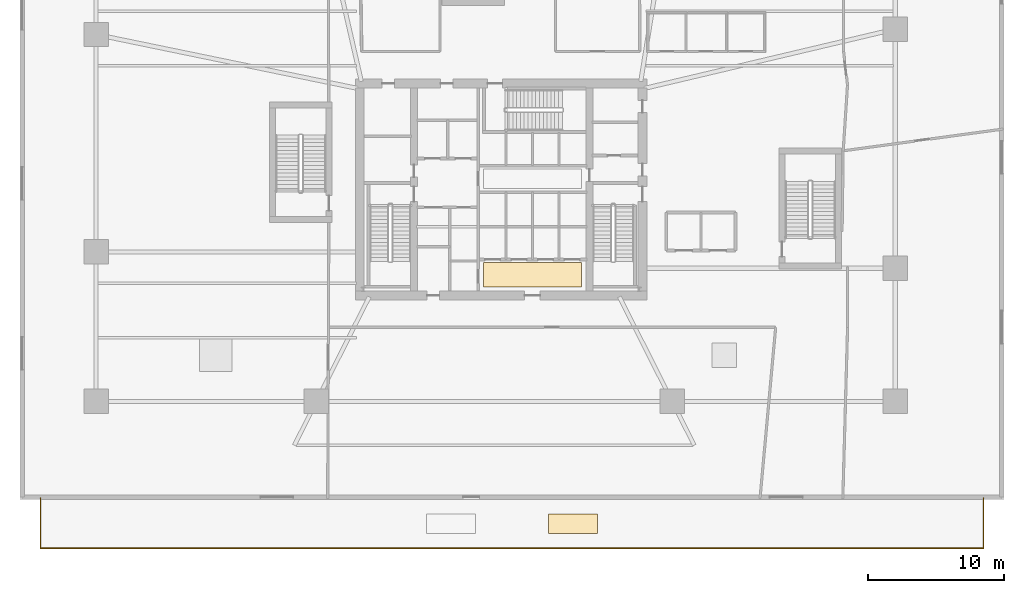
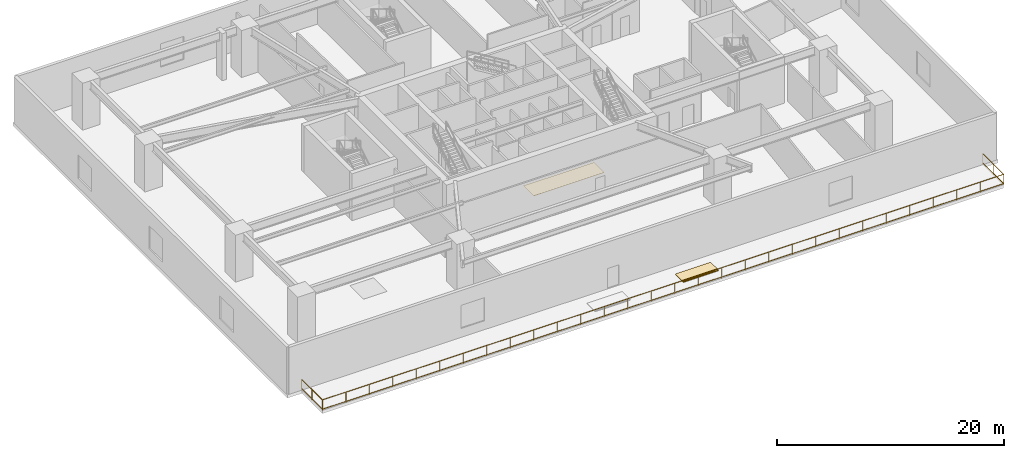
# One storey, part 9 of 11: 2 coverings, 1 railing.
"""IFC4 building model written with IfcOpenShell, lengths in metres."""

from ifc_helpers import new_model, si_unit, direction, frame, origin, origin_2d, place, context, subcontext, project, spatial, rectangle, extrude, material, layer, layer_set, type_object, element, save


model = new_model("IFC4")

# Units and contexts
model_context = context("Model", 3, precision=1e-05, world=origin(), true_north=direction((0.0, 1.0)))
body_context = subcontext(model_context, "Body", "Model", "MODEL_VIEW")
ifc_project = project(units=[si_unit("LENGTHUNIT", "METRE"), si_unit("AREAUNIT", "SQUARE_METRE"), si_unit("VOLUMEUNIT", "CUBIC_METRE"), si_unit("PLANEANGLEUNIT", "RADIAN"), si_unit("MASSUNIT", "GRAM", prefix="KILO")], contexts=[model_context])

# Site, building, storey
site_placement = place(None, origin())
site = spatial("IfcSite", under=ifc_project, at=site_placement, CompositionType="ELEMENT")
building_placement = place(site_placement, origin())
building = spatial("IfcBuilding", under=site, at=building_placement, Name="Qarnah Convention Tower", CompositionType="ELEMENT")
storey_placement = place(building_placement, frame((0.0, 0.0, 5.39990234375)))
storey = spatial("IfcBuildingStorey", under=building, at=storey_placement, Name="L01", CompositionType="ELEMENT", Elevation=5.39990234375)

# Coverings
ifc_material_1 = material(Name="Porcelain stone floor tile", Category="masonry")
ifc_layer_1 = layer(ifc_material_1, 0.02001953125)
ifc_layer_set_1 = layer_set([ifc_layer_1], Name="Porcelain stone floor tile")
covering_type_1 = type_object("IfcCoveringType", Name="COV-FLOOR-20", PredefinedType="FLOORING", material=ifc_layer_set_1)
covering_1_placement = place(storey_placement, frame((39.52001953125, 20.1201171875, 0.0), z_axis=(0.0, 0.0, 1.0), x_axis=(1.0, 0.0, 0.0)))
element("IfcCovering", 1, at=covering_1_placement, inside=storey, type_object=covering_type_1, Name="L01 lift lobby porcelain stone flooring", PredefinedType="FLOORING", context=body_context, shape_type="SweptSolid", body=[
    extrude(rectangle(XDim=7.199951171875, YDim=1.800048828125, at=origin_2d()), origin(), (0.0, 0.0, 1.0), 0.02001953125),
])
ifc_material_2 = material(Name="Bituminous roof membrane", Category="concrete")
ifc_layer_2 = layer(ifc_material_2, 0.080078125)
ifc_layer_set_2 = layer_set([ifc_layer_2], Name="Bituminous roof membrane")
covering_type_2 = type_object("IfcCoveringType", Name="COV-ROOF-80", PredefinedType="ROOFING", material=ifc_layer_set_2)
covering_2_placement = place(storey_placement, frame((42.5, 1.802001953125, 0.0), z_axis=(0.0, 0.0, 1.0), x_axis=(1.0, 0.0, 0.0)))
element("IfcCovering", 2, at=covering_2_placement, inside=storey, type_object=covering_type_2, Name="L01 podium terrace roof membrane panel 2", PredefinedType="ROOFING", context=body_context, shape_type="SweptSolid", body=[
    extrude(rectangle(XDim=3.60009765625, YDim=1.39990234375, at=origin_2d()), origin(), (0.0, 0.0, 1.0), 0.080078125),
])

# Railing
ifc_material_3 = material(Name="Black anodised aluminium", Category="aluminium")
railing_type = type_object("IfcRailingType", Name="RL-EXT-GUARD-1150", PredefinedType="GUARDRAIL", material=ifc_material_3)
railing_placement = place(storey_placement, frame((3.300048828125, 3.699951171875, 0.0)))
element("IfcRailing", 3, at=railing_placement, inside=storey, type_object=railing_type, Name="L01 balcony safety guard TERR-L01-S", PredefinedType="GUARDRAIL", context=body_context, shape_type="SweptSolid", body=[
    extrude(rectangle(XDim=0.048095703125, YDim=0.048095703125, at=origin_2d()), frame((0.0, 0.0, 1.1259765625), z_axis=(0.0, -1.0, 0.0), x_axis=(1.0, 0.0, 0.0)), (0.0, 0.0, 1.0), 3.699951171875),
    extrude(rectangle(XDim=0.048095703125, YDim=0.048095703125, at=origin_2d()), frame((0.0, 0.0, 0.1201171875), z_axis=(0.0, -1.0, 0.0), x_axis=(1.0, 0.0, 0.0)), (0.0, 0.0, 1.0), 3.699951171875),
    extrude(rectangle(XDim=0.048095703125, YDim=0.048095703125, at=origin_2d()), frame((0.0, -3.699951171875, 1.1259765625), z_axis=(1.0, 0.0, 0.0), x_axis=(0.0, 1.0, 0.0)), (0.0, 0.0, 1.0), 69.39990234375),
    extrude(rectangle(XDim=0.048095703125, YDim=0.048095703125, at=origin_2d()), frame((0.0, -3.699951171875, 0.1201171875), z_axis=(1.0, 0.0, 0.0), x_axis=(0.0, 1.0, 0.0)), (0.0, 0.0, 1.0), 69.39990234375),
    extrude(rectangle(XDim=0.048095703125, YDim=0.048095703125, at=origin_2d()), frame((69.39990234375, -3.699951171875, 1.1259765625), z_axis=(0.0, 1.0, 0.0), x_axis=(-1.0, 0.0, 0.0)), (0.0, 0.0, 1.0), 3.699951171875),
    extrude(rectangle(XDim=0.048095703125, YDim=0.048095703125, at=origin_2d()), frame((69.39990234375, -3.699951171875, 0.1201171875), z_axis=(0.0, 1.0, 0.0), x_axis=(-1.0, 0.0, 0.0)), (0.0, 0.0, 1.0), 3.699951171875),
    extrude(rectangle(XDim=0.0419921875, YDim=0.0419921875, at=origin_2d()), origin(), (0.0, 0.0, 1.0), 1.101806640625),
    extrude(rectangle(XDim=0.0419921875, YDim=0.0419921875, at=origin_2d()), frame((0.0, -1.85009765625, 0.0)), (0.0, 0.0, 1.0), 1.101806640625),
    extrude(rectangle(XDim=0.0419921875, YDim=0.0419921875, at=origin_2d()), frame((0.0, -3.699951171875, 0.0)), (0.0, 0.0, 1.0), 1.101806640625),
    extrude(rectangle(XDim=0.0419921875, YDim=0.0419921875, at=origin_2d()), frame((2.39306640625, -3.699951171875, 0.0)), (0.0, 0.0, 1.0), 1.101806640625),
    extrude(rectangle(XDim=0.0419921875, YDim=0.0419921875, at=origin_2d()), frame((4.7861328125, -3.699951171875, 0.0)), (0.0, 0.0, 1.0), 1.101806640625),
    extrude(rectangle(XDim=0.0419921875, YDim=0.0419921875, at=origin_2d()), frame((7.17919921875, -3.699951171875, 0.0)), (0.0, 0.0, 1.0), 1.101806640625),
    extrude(rectangle(XDim=0.0419921875, YDim=0.0419921875, at=origin_2d()), frame((9.572509765625, -3.699951171875, 0.0)), (0.0, 0.0, 1.0), 1.101806640625),
    extrude(rectangle(XDim=0.0419921875, YDim=0.0419921875, at=origin_2d()), frame((11.965576171875, -3.699951171875, 0.0)), (0.0, 0.0, 1.0), 1.101806640625),
    extrude(rectangle(XDim=0.0419921875, YDim=0.0419921875, at=origin_2d()), frame((14.358642578125, -3.699951171875, 0.0)), (0.0, 0.0, 1.0), 1.101806640625),
    extrude(rectangle(XDim=0.0419921875, YDim=0.0419921875, at=origin_2d()), frame((16.751708984375, -3.699951171875, 0.0)), (0.0, 0.0, 1.0), 1.101806640625),
    extrude(rectangle(XDim=0.0419921875, YDim=0.0419921875, at=origin_2d()), frame((19.144775390625, -3.699951171875, 0.0)), (0.0, 0.0, 1.0), 1.101806640625),
    extrude(rectangle(XDim=0.0419921875, YDim=0.0419921875, at=origin_2d()), frame((21.537841796875, -3.699951171875, 0.0)), (0.0, 0.0, 1.0), 1.101806640625),
    extrude(rectangle(XDim=0.0419921875, YDim=0.0419921875, at=origin_2d()), frame((23.930908203125, -3.699951171875, 0.0)), (0.0, 0.0, 1.0), 1.101806640625),
    extrude(rectangle(XDim=0.0419921875, YDim=0.0419921875, at=origin_2d()), frame((26.32421875, -3.699951171875, 0.0)), (0.0, 0.0, 1.0), 1.101806640625),
    extrude(rectangle(XDim=0.0419921875, YDim=0.0419921875, at=origin_2d()), frame((28.71728515625, -3.699951171875, 0.0)), (0.0, 0.0, 1.0), 1.101806640625),
    extrude(rectangle(XDim=0.0419921875, YDim=0.0419921875, at=origin_2d()), frame((31.1103515625, -3.699951171875, 0.0)), (0.0, 0.0, 1.0), 1.101806640625),
    extrude(rectangle(XDim=0.0419921875, YDim=0.0419921875, at=origin_2d()), frame((33.50341796875, -3.699951171875, 0.0)), (0.0, 0.0, 1.0), 1.101806640625),
    extrude(rectangle(XDim=0.0419921875, YDim=0.0419921875, at=origin_2d()), frame((35.896484375, -3.699951171875, 0.0)), (0.0, 0.0, 1.0), 1.101806640625),
    extrude(rectangle(XDim=0.0419921875, YDim=0.0419921875, at=origin_2d()), frame((38.28955078125, -3.699951171875, 0.0)), (0.0, 0.0, 1.0), 1.101806640625),
    extrude(rectangle(XDim=0.0419921875, YDim=0.0419921875, at=origin_2d()), frame((40.6826171875, -3.699951171875, 0.0)), (0.0, 0.0, 1.0), 1.101806640625),
    extrude(rectangle(XDim=0.0419921875, YDim=0.0419921875, at=origin_2d()), frame((43.07568359375, -3.699951171875, 0.0)), (0.0, 0.0, 1.0), 1.101806640625),
    extrude(rectangle(XDim=0.0419921875, YDim=0.0419921875, at=origin_2d()), frame((45.468994140625, -3.699951171875, 0.0)), (0.0, 0.0, 1.0), 1.101806640625),
    extrude(rectangle(XDim=0.0419921875, YDim=0.0419921875, at=origin_2d()), frame((47.862060546875, -3.699951171875, 0.0)), (0.0, 0.0, 1.0), 1.101806640625),
    extrude(rectangle(XDim=0.0419921875, YDim=0.0419921875, at=origin_2d()), frame((50.255126953125, -3.699951171875, 0.0)), (0.0, 0.0, 1.0), 1.101806640625),
    extrude(rectangle(XDim=0.0419921875, YDim=0.0419921875, at=origin_2d()), frame((52.648193359375, -3.699951171875, 0.0)), (0.0, 0.0, 1.0), 1.101806640625),
    extrude(rectangle(XDim=0.0419921875, YDim=0.0419921875, at=origin_2d()), frame((55.041259765625, -3.699951171875, 0.0)), (0.0, 0.0, 1.0), 1.101806640625),
    extrude(rectangle(XDim=0.0419921875, YDim=0.0419921875, at=origin_2d()), frame((57.434326171875, -3.699951171875, 0.0)), (0.0, 0.0, 1.0), 1.101806640625),
    extrude(rectangle(XDim=0.0419921875, YDim=0.0419921875, at=origin_2d()), frame((59.827392578125, -3.699951171875, 0.0)), (0.0, 0.0, 1.0), 1.101806640625),
    extrude(rectangle(XDim=0.0419921875, YDim=0.0419921875, at=origin_2d()), frame((62.220703125, -3.699951171875, 0.0)), (0.0, 0.0, 1.0), 1.101806640625),
    extrude(rectangle(XDim=0.0419921875, YDim=0.0419921875, at=origin_2d()), frame((64.61376953125, -3.699951171875, 0.0)), (0.0, 0.0, 1.0), 1.101806640625),
    extrude(rectangle(XDim=0.0419921875, YDim=0.0419921875, at=origin_2d()), frame((67.0068359375, -3.699951171875, 0.0)), (0.0, 0.0, 1.0), 1.101806640625),
    extrude(rectangle(XDim=0.0419921875, YDim=0.0419921875, at=origin_2d()), frame((69.39990234375, -3.699951171875, 0.0)), (0.0, 0.0, 1.0), 1.101806640625),
    extrude(rectangle(XDim=0.0419921875, YDim=0.0419921875, at=origin_2d()), frame((69.39990234375, -1.85009765625, 0.0)), (0.0, 0.0, 1.0), 1.101806640625),
    extrude(rectangle(XDim=0.0419921875, YDim=0.0419921875, at=origin_2d()), frame((69.39990234375, 0.0, 0.0)), (0.0, 0.0, 1.0), 1.101806640625),
])

save(model, "model.ifc")
